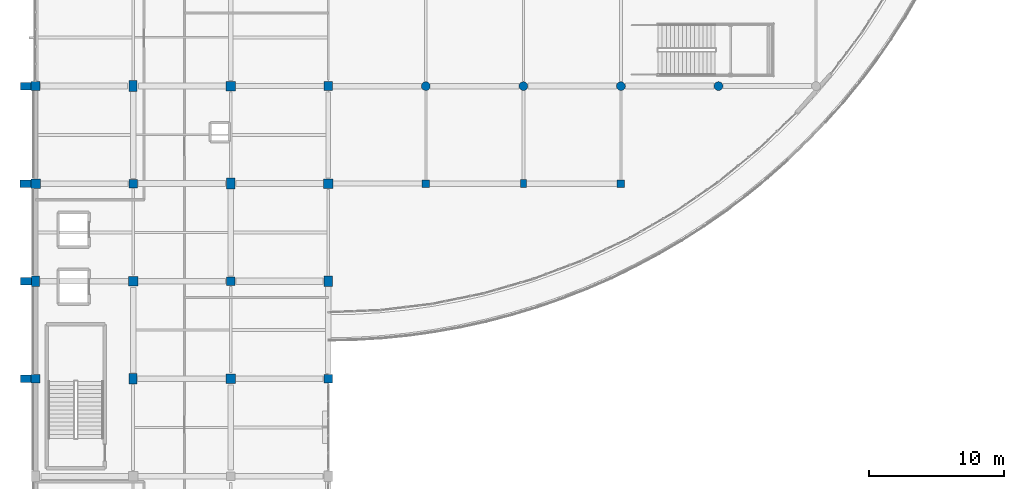
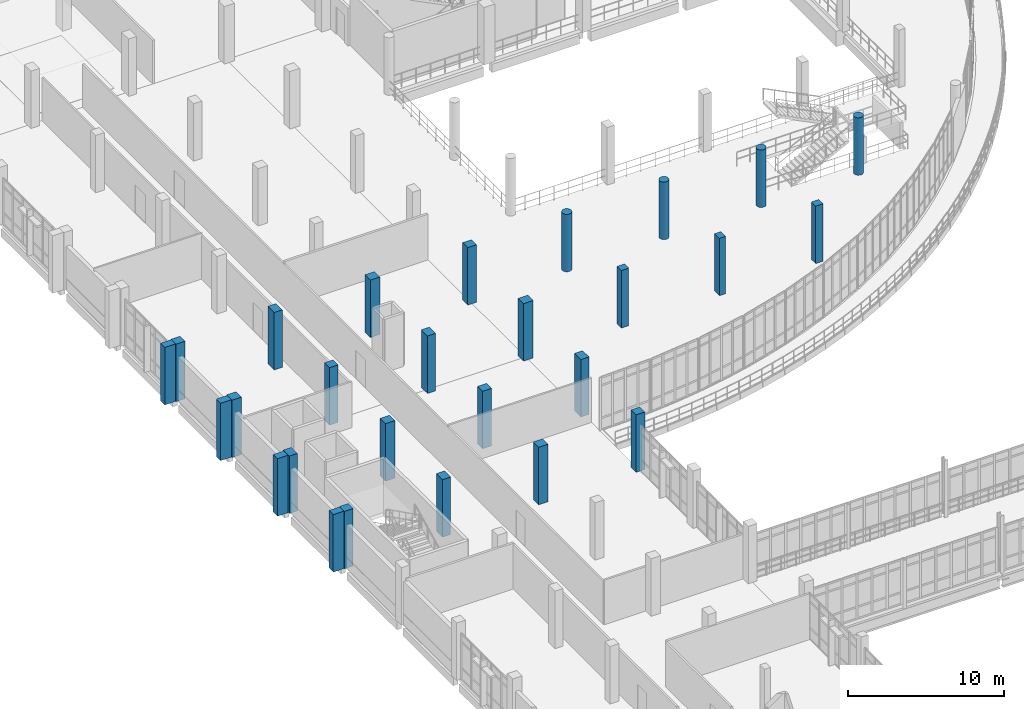
# One storey, part 3 of 124: 27 columns.
"""IFC4 building model written with IfcOpenShell, lengths in metres."""

from ifc_helpers import new_model, si_unit, direction, frame, origin, origin_2d, place, context, subcontext, project, spatial, rectangle, circle, extrude, material, material_profile, profile_set, type_object, element, save


model = new_model("IFC4")

# Units and contexts
model_context = context("Model", 3, precision=1e-05, world=origin(), true_north=direction((0.0, 1.0)))
body_context = subcontext(model_context, "Body", "Model", "MODEL_VIEW")
ifc_project = project(units=[si_unit("LENGTHUNIT", "METRE"), si_unit("AREAUNIT", "SQUARE_METRE"), si_unit("VOLUMEUNIT", "CUBIC_METRE"), si_unit("PLANEANGLEUNIT", "RADIAN"), si_unit("MASSUNIT", "GRAM", prefix="KILO")], contexts=[model_context])

# Site, building, storey
site_placement = place(None, origin())
site = spatial("IfcSite", under=ifc_project, at=site_placement, CompositionType="ELEMENT")
building_placement = place(site_placement, origin())
building = spatial("IfcBuilding", under=site, at=building_placement, Name="Kalluvel Institute of Natural Sciences", CompositionType="ELEMENT")
storey_placement = place(building_placement, frame((0.0, 0.0, 9.89990234375)))
storey = spatial("IfcBuildingStorey", under=building, at=storey_placement, Name="L02", CompositionType="ELEMENT", Elevation=9.89990234375)

# Columns
ifc_material_1 = material(Name="Concrete M40", Category="concrete")
ifc_material_profile_1 = material_profile(ifc_material_1, rectangle(XDim=0.449951171875, YDim=0.60009765625, at=origin_2d()), Name="RC 450x600")
ifc_profile_set_1 = profile_set([ifc_material_profile_1], Name="Concrete M40")
column_type_1 = type_object("IfcColumnType", Name="COL-RC450x600", PredefinedType="COLUMN", material=ifc_profile_set_1)
column_placement = place(storey_placement, frame((50.0, 64.39990234375, 0.0), z_axis=(0.0, 0.0, 1.0), x_axis=(1.0, 0.0, 0.0)))
element("IfcColumn", 1, at=column_placement, inside=storey, type_object=column_type_1, Name="L02 structural column COL-L02-X500-Y644", PredefinedType="COLUMN", context=body_context, shape_type="SweptSolid", body=[
    extrude(rectangle(XDim=0.449951171875, YDim=0.60009765625, at=origin_2d()), origin(), (0.0, 0.0, 1.0), 4.5),
])
ifc_material_profile_2 = material_profile(ifc_material_1, rectangle(XDim=0.550048828125, YDim=0.550048828125, at=origin_2d()), Name="RC 550x550")
ifc_profile_set_2 = profile_set([ifc_material_profile_2], Name="Concrete M40")
column_type_2 = type_object("IfcColumnType", Name="COL-RC550", PredefinedType="COLUMN", material=ifc_profile_set_2)
for number, where, z_axis, x_axis, name in (
    (2, (42.800048828125, 64.39990234375, 0.0), (0.0, 0.0, 1.0), (1.0, 0.0, 0.0), "L02 structural column COL-L02-X428-Y644"),
    (3, (57.199951171875, 64.39990234375, 0.0), (0.0, 0.0, 1.0), (1.0, 0.0, 0.0), "L02 structural column COL-L02-X572-Y644"),
):
    element("IfcColumn", number, at=place(storey_placement, frame(where, z_axis=z_axis, x_axis=x_axis)), inside=storey, type_object=column_type_2, Name=name, PredefinedType="COLUMN", context=body_context, shape_type="SweptSolid", body=[
        extrude(rectangle(XDim=0.550048828125, YDim=0.550048828125, at=origin_2d()), origin(), (0.0, 0.0, 1.0), 4.5),
    ])
ifc_material_2 = material(Name="Concrete M50", Category="concrete")
ifc_material_profile_3 = material_profile(ifc_material_2, rectangle(XDim=0.60009765625, YDim=0.800048828125, at=origin_2d()), Name="RC 600x800")
ifc_profile_set_3 = profile_set([ifc_material_profile_3], Name="Concrete M50")
column_type_3 = type_object("IfcColumnType", Name="COL-RC600x800", PredefinedType="COLUMN", material=ifc_profile_set_3)
for number, where, z_axis, x_axis, name in (
    (4, (14.0, 57.199951171875, 0.0), (0.0, 0.0, 1.0), (1.0, 0.0, 0.0), "L02 structural column COL-L02-X140-Y572"),
    (5, (21.199951171875, 50.0, 0.0), (0.0, 0.0, 1.0), (1.0, 0.0, 0.0), "L02 structural column COL-L02-X212-Y500"),
    (6, (21.199951171875, 71.60009765625, 0.0), (0.0, 0.0, 1.0), (1.0, 0.0, 0.0), "L02 structural column COL-L02-X212-Y716"),
    (7, (28.39990234375, 64.39990234375, 0.0), (0.0, 0.0, 1.0), (1.0, 0.0, 0.0), "L02 structural column COL-L02-X284-Y644"),
    (8, (35.60009765625, 57.199951171875, 0.0), (0.0, 0.0, 1.0), (1.0, 0.0, 0.0), "L02 structural column COL-L02-X356-Y572"),
):
    element("IfcColumn", number, at=place(storey_placement, frame(where, z_axis=z_axis, x_axis=x_axis)), inside=storey, type_object=column_type_3, Name=name, PredefinedType="COLUMN", context=body_context, shape_type="SweptSolid", body=[
        extrude(rectangle(XDim=0.60009765625, YDim=0.800048828125, at=origin_2d()), origin(), (0.0, 0.0, 1.0), 4.5),
    ])
ifc_material_profile_4 = material_profile(ifc_material_1, rectangle(XDim=0.64990234375, YDim=0.64990234375, at=origin_2d()), Name="RC 650x650")
ifc_profile_set_4 = profile_set([ifc_material_profile_4], Name="Concrete M40")
column_type_4 = type_object("IfcColumnType", Name="COL-RC650", PredefinedType="COLUMN", material=ifc_profile_set_4)
for number, where, z_axis, x_axis, name in (
    (9, (14.0, 50.0, 0.0), (0.0, 0.0, 1.0), (1.0, 0.0, 0.0), "L02 structural column COL-L02-X140-Y500"),
    (10, (14.0, 71.60009765625, 0.0), (0.0, 0.0, 1.0), (1.0, 0.0, 0.0), "L02 structural column COL-L02-X140-Y716"),
    (11, (21.199951171875, 64.39990234375, 0.0), (0.0, 0.0, 1.0), (1.0, 0.0, 0.0), "L02 structural column COL-L02-X212-Y644"),
    (12, (28.39990234375, 57.199951171875, 0.0), (0.0, 0.0, 1.0), (1.0, 0.0, 0.0), "L02 structural column COL-L02-X284-Y572"),
    (13, (35.60009765625, 50.0, 0.0), (0.0, 0.0, 1.0), (1.0, 0.0, 0.0), "L02 structural column COL-L02-X356-Y500"),
    (14, (35.60009765625, 71.60009765625, 0.0), (0.0, 0.0, 1.0), (1.0, 0.0, 0.0), "L02 structural column COL-L02-X356-Y716"),
):
    element("IfcColumn", number, at=place(storey_placement, frame(where, z_axis=z_axis, x_axis=x_axis)), inside=storey, type_object=column_type_4, Name=name, PredefinedType="COLUMN", context=body_context, shape_type="SweptSolid", body=[
        extrude(rectangle(XDim=0.64990234375, YDim=0.64990234375, at=origin_2d()), origin(), (0.0, 0.0, 1.0), 4.5),
    ])
ifc_material_profile_5 = material_profile(ifc_material_1, rectangle(XDim=0.699951171875, YDim=0.699951171875, at=origin_2d()), Name="RC 700x700")
ifc_profile_set_5 = profile_set([ifc_material_profile_5], Name="Concrete M40")
column_type_5 = type_object("IfcColumnType", Name="COL-RC700", PredefinedType="COLUMN", material=ifc_profile_set_5)
for number, where, z_axis, x_axis, name in (
    (15, (14.0, 64.39990234375, 0.0), (0.0, 0.0, 1.0), (1.0, 0.0, 0.0), "L02 structural column COL-L02-X140-Y644"),
    (16, (21.199951171875, 57.199951171875, 0.0), (0.0, 0.0, 1.0), (1.0, 0.0, 0.0), "L02 structural column COL-L02-X212-Y572"),
    (17, (28.39990234375, 50.0, 0.0), (0.0, 0.0, 1.0), (1.0, 0.0, 0.0), "L02 structural column COL-L02-X284-Y500"),
    (18, (28.39990234375, 71.60009765625, 0.0), (0.0, 0.0, 1.0), (1.0, 0.0, 0.0), "L02 structural column COL-L02-X284-Y716"),
    (19, (35.60009765625, 64.39990234375, 0.0), (0.0, 0.0, 1.0), (1.0, 0.0, 0.0), "L02 structural column COL-L02-X356-Y644"),
):
    element("IfcColumn", number, at=place(storey_placement, frame(where, z_axis=z_axis, x_axis=x_axis)), inside=storey, type_object=column_type_5, Name=name, PredefinedType="COLUMN", context=body_context, shape_type="SweptSolid", body=[
        extrude(rectangle(XDim=0.699951171875, YDim=0.699951171875, at=origin_2d()), origin(), (0.0, 0.0, 1.0), 4.5),
    ])
ifc_material_profile_6 = material_profile(ifc_material_1, circle(Radius=0.324951171875, at=origin_2d()), Name="RCCOL D650")
ifc_profile_set_6 = profile_set([ifc_material_profile_6], Name="Concrete M40")
column_type_6 = type_object("IfcColumnType", Name="COL-RCD650", PredefinedType="COLUMN", material=ifc_profile_set_6)
for number, where, z_axis, x_axis, name in (
    (20, (42.800048828125, 71.60009765625, 0.0), (0.0, 0.0, 1.0), (1.0, 0.0, 0.0), "L02 structural column COL-L02-X428-Y716"),
    (21, (50.0, 71.60009765625, 0.0), (0.0, 0.0, 1.0), (1.0, 0.0, 0.0), "L02 structural column COL-L02-X500-Y716"),
    (22, (57.199951171875, 71.60009765625, 0.0), (0.0, 0.0, 1.0), (1.0, 0.0, 0.0), "L02 structural column COL-L02-X572-Y716"),
    (23, (64.39990234375, 71.60009765625, 0.0), (0.0, 0.0, 1.0), (1.0, 0.0, 0.0), "L02 structural column COL-L02-X644-Y716"),
):
    element("IfcColumn", number, at=place(storey_placement, frame(where, z_axis=z_axis, x_axis=x_axis)), inside=storey, type_object=column_type_6, Name=name, PredefinedType="COLUMN", context=body_context, shape_type="SweptSolid", body=[
        extrude(circle(Radius=0.324951171875, at=origin_2d()), origin(), (0.0, 0.0, 1.0), 4.5),
    ])
ifc_material_3 = material(Name="Sadarahalli Granite Precast Concrete M45", Category="masonry")
ifc_material_profile_7 = material_profile(ifc_material_3, rectangle(XDim=0.550048828125, YDim=0.800048828125, at=origin_2d()), Name="PIL 550x800")
ifc_profile_set_7 = profile_set([ifc_material_profile_7], Name="Sadarahalli Granite Precast Concrete M45")
column_type_7 = type_object("IfcColumnType", Name="PIL-550x800", PredefinedType="PILASTER", material=ifc_profile_set_7)
for number, where, z_axis, x_axis, name in (
    (24, (13.27197265625, 50.0, 0.0), (0.0, 0.0, 1.0), (0.0, 1.0, 0.0), "L02 Gothic stepped Sadarahalli granite buttress 80"),
    (25, (13.297119140625, 57.199951171875, 0.0), (0.0, 0.0, 1.0), (0.0, 1.0, 0.0), "L02 Gothic stepped Sadarahalli granite buttress 88"),
    (26, (13.2470703125, 64.39990234375, 0.0), (0.0, 0.0, 1.0), (0.0, 1.0, 0.0), "L02 Gothic stepped Sadarahalli granite buttress 96"),
    (27, (13.27197265625, 71.60009765625, 0.0), (0.0, 0.0, 1.0), (0.0, 1.0, 0.0), "L02 Gothic stepped Sadarahalli granite buttress 104"),
):
    element("IfcColumn", number, at=place(storey_placement, frame(where, z_axis=z_axis, x_axis=x_axis)), inside=storey, type_object=column_type_7, Name=name, PredefinedType="PILASTER", context=body_context, shape_type="SweptSolid", body=[
        extrude(rectangle(XDim=0.550048828125, YDim=0.800048828125, at=origin_2d()), origin(), (0.0, 0.0, 1.0), 4.5),
    ])

save(model, "model.ifc")
